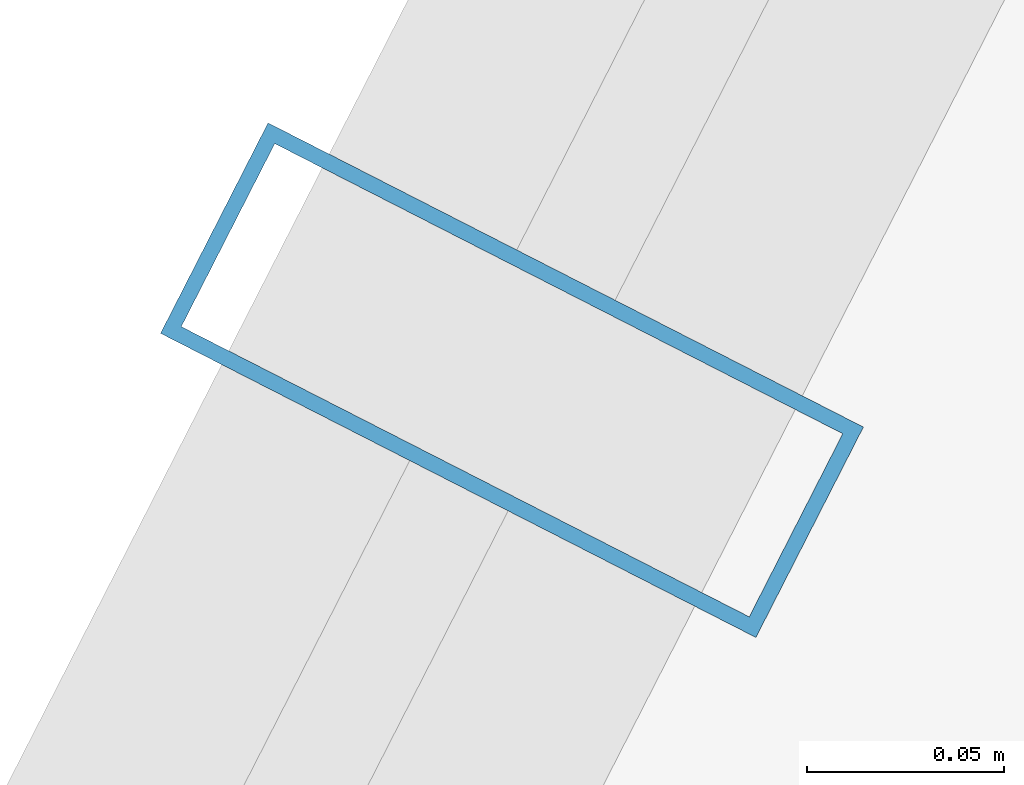
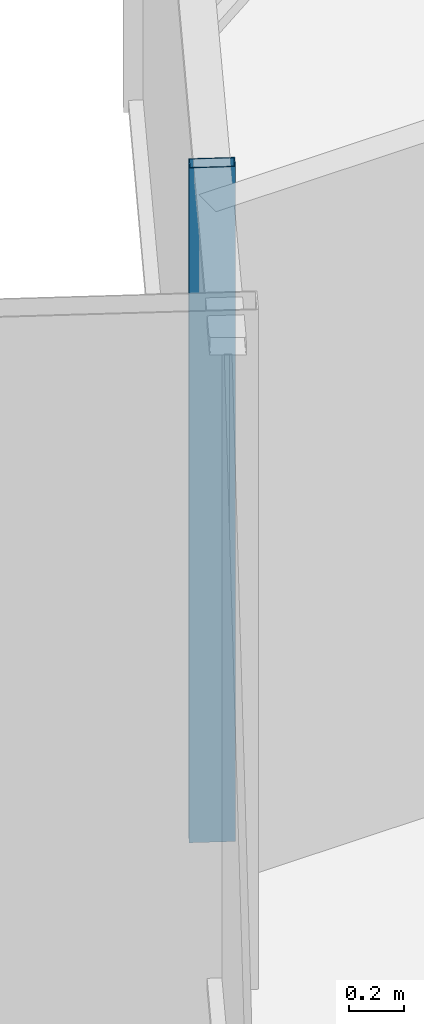
# One storey, part 21 of 37: 1 member, 1 element without a shape of its own.
"""IFC4 building model written with IfcOpenShell, lengths in metres."""

from ifc_helpers import new_model, si_unit, direction, frame, origin, origin_2d, place, context, subcontext, project, spatial, hollow_rectangle, extrude, source, transform, mapped, material, layer, layer_set, material_profile, profile_set, type_object, element, aggregate, save


model = new_model("IFC4")

# Units and contexts
model_context = context("Model", 3, precision=1e-05, world=origin(), true_north=direction((0.0, 1.0)))
body_context = subcontext(model_context, "Body", "Model", "MODEL_VIEW")
ifc_project = project(units=[si_unit("LENGTHUNIT", "METRE"), si_unit("AREAUNIT", "SQUARE_METRE"), si_unit("VOLUMEUNIT", "CUBIC_METRE"), si_unit("PLANEANGLEUNIT", "RADIAN"), si_unit("MASSUNIT", "GRAM", prefix="KILO")], contexts=[model_context])

# Site, building, storey
site_placement = place(None, origin())
site = spatial("IfcSite", under=ifc_project, at=site_placement, CompositionType="ELEMENT")
building_placement = place(site_placement, origin())
building = spatial("IfcBuilding", under=site, at=building_placement, Name="Veraguas Prism Commons", CompositionType="ELEMENT")
storey_placement = place(building_placement, frame((0.0, 0.0, 33.800048828125)))
storey = spatial("IfcBuildingStorey", under=building, at=storey_placement, Name="L08", CompositionType="ELEMENT", Elevation=33.800048828125)

# Curtain wall, member
ifc_material = material(Name="Anodised aluminium EN AW-6063 T6", Category="aluminium")
ifc_layer = layer(ifc_material, 0.169921875, Name="Unitised Flush Curtain Wall Zone 1", Category="aluminium")
ifc_layer_set = layer_set([ifc_layer], Name="Anodised aluminium EN AW-6063 T6")
curtain_wall_type = type_object("IfcCurtainWallType", Name="Unitised Flush Curtain Wall Zone 1", PredefinedType="NOTDEFINED", material=ifc_layer_set)
curtain_wall_placement = place(storey_placement, origin())
curtain_wall = element("IfcCurtainWall", 1, at=curtain_wall_placement, inside=storey, type_object=curtain_wall_type, Name="Tower Facade Curtain Wall L08-F3", PredefinedType="NOTDEFINED")
ifc_material_profile = material_profile(ifc_material, hollow_rectangle(XDim=0.06005859375, YDim=0.169921875, WallThickness=0.00390625, at=origin_2d()), Name="AL60X170X4")
ifc_profile_set = profile_set([ifc_material_profile], Name="Anodised aluminium EN AW-6063 T6")
member_type = type_object("IfcMemberType", Name="Curtain Wall Mullion Lower AL 60x170x4", PredefinedType="MULLION", material=ifc_profile_set)
shared_shape = source(origin(), body_context, "Body", "SweptSolid", [
    extrude(hollow_rectangle(XDim=0.06005859375, YDim=0.169921875, WallThickness=0.00390625, at=origin_2d()), origin(), (0.0, 0.0, 1.0), 3.0),
])
member_placement = place(storey_placement, frame((7.615478515625, 37.614990234375, 0.0), z_axis=(0.0, 0.0, 1.0), x_axis=(-0.454921756221, -0.890531411976, 0.0)))
member = element("IfcMember", 2, at=member_placement, type_object=member_type, Name="CW-Z1 Mullion 2", PredefinedType="MULLION", context=body_context, shape_type="MappedRepresentation", body=[
    mapped(shared_shape, transform((0.0, 0.0, 0.0), scale=1.0)),
])
aggregate(curtain_wall, [member])

save(model, "model.ifc")
